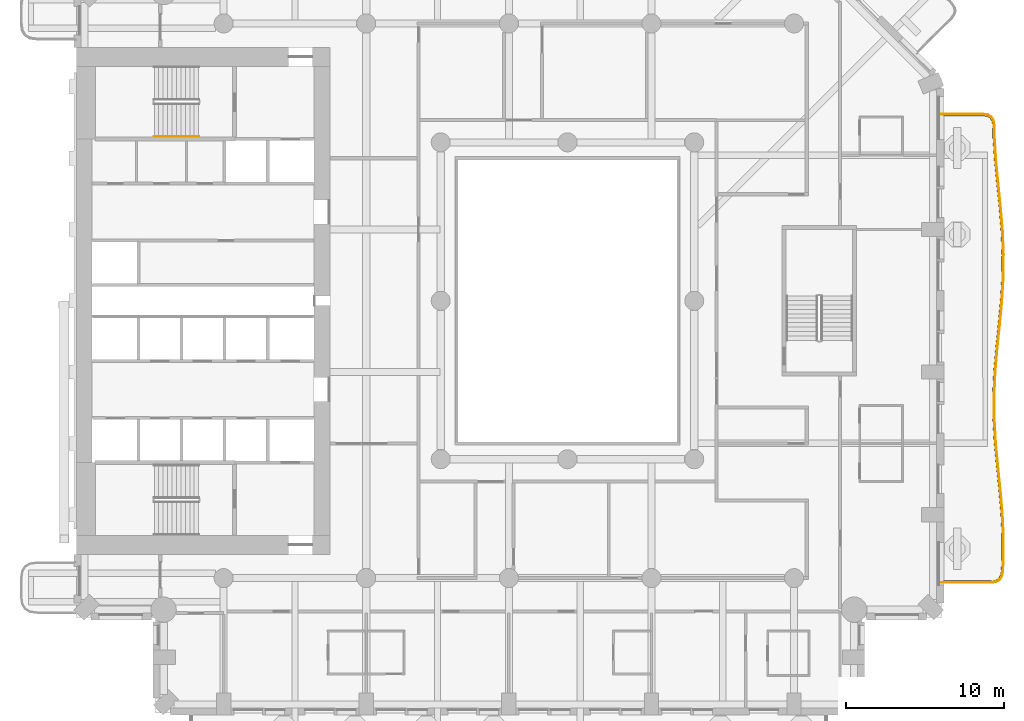
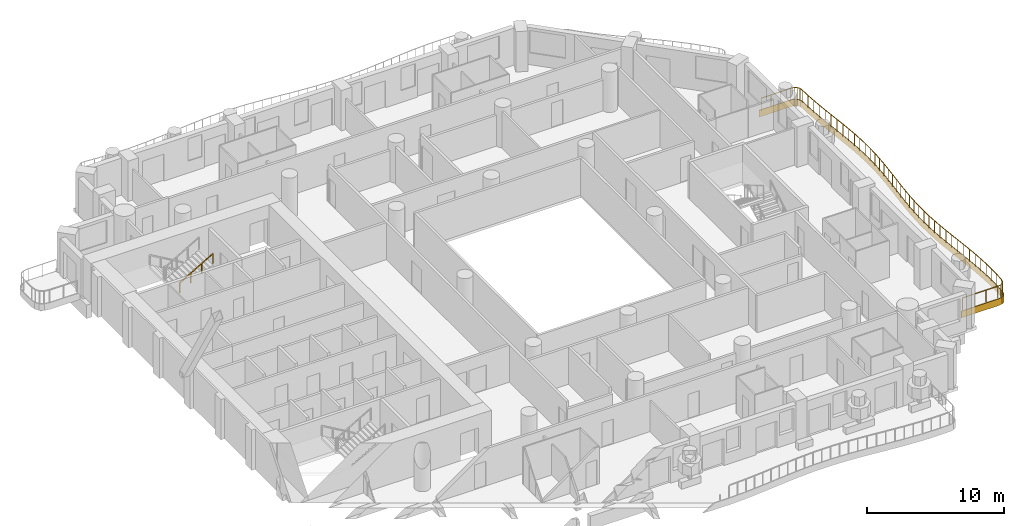
# One storey, part 16 of 20: 2 railings, 1 covering.
"""IFC4 building model written with IfcOpenShell, lengths in metres."""

import ifcopenshell
import ifcopenshell.guid

model = None  # the IFC model being written
_history = None  # IfcOwnerHistory: only IFC2X3 demands one
_inside = {}  # id of a spatial element -> (the spatial element, [elements in it])
_under = {}  # id of a project, library or spatial element -> (it, [spatial elements below it])
_declared = {}  # id of a project -> (the project, [libraries it declares])
_typed = {}  # id of a type object -> (the type object, [elements of that type])
_made_of = {}  # id of a material, layer set ... -> (it, [elements and type objects made of it])


def new_model(schema):
    """Start an empty IFC model of exactly this schema.

    Asked for "IFC4X3", IfcOpenShell would pick the latest addendum, in which some entities
    have other attributes; the version numbers below select the first issue.
    IFC2X3 requires an IfcOwnerHistory on every rooted entity: one is made here for all.
    """
    global model, _history
    if schema == "IFC4X3":
        model = ifcopenshell.file(schema_version=(4, 3, 0, 0))
    else:
        model = ifcopenshell.file(schema=schema)
    _inside.clear()
    _under.clear()
    _declared.clear()
    _typed.clear()
    _made_of.clear()
    _history = None
    if model.schema == "IFC2X3":
        org = make("IfcOrganization", Name="unknown")
        user = make(
            "IfcPersonAndOrganization",
            ThePerson=make("IfcPerson", FamilyName="unknown"),
            TheOrganization=org,
        )
        app = make(
            "IfcApplication",
            ApplicationDeveloper=org,
            Version="unknown",
            ApplicationFullName="unknown",
            ApplicationIdentifier="unknown",
        )
        _history = make(
            "IfcOwnerHistory",
            OwningUser=user,
            OwningApplication=app,
            ChangeAction="ADDED",
            CreationDate=0,
        )
    return model


def make(cls, **values):
    """One entity of the class cls with the attributes given. An attribute that is None is left unset."""
    return model.create_entity(
        cls, **{name: value for name, value in values.items() if value is not None}
    )


def rooted(cls, **values):
    """An entity with a GlobalId (a new one), such as an element, a storey or a relation."""
    return make(cls, GlobalId=ifcopenshell.guid.new(), OwnerHistory=_history, **values)


def si_unit(unit_type, name, prefix=None):
    """IfcSIUnit, for example si_unit("LENGTHUNIT", "METRE", prefix="MILLI")."""
    return make("IfcSIUnit", UnitType=unit_type, Prefix=prefix, Name=name)


def assignment(units):
    """IfcUnitAssignment: the units of a project."""
    return None if units is None else make("IfcUnitAssignment", Units=units)


def point(xyz):
    """IfcCartesianPoint."""
    return None if xyz is None else make("IfcCartesianPoint", Coordinates=xyz)


def direction(xyz):
    """IfcDirection."""
    return None if xyz is None else make("IfcDirection", DirectionRatios=xyz)


def frame(location, z_axis=None, x_axis=None):
    """IfcAxis2Placement3D, a coordinate frame: its origin and axes. An axis left out is left unset."""
    return make(
        "IfcAxis2Placement3D",
        Location=point(location),
        Axis=direction(z_axis),
        RefDirection=direction(x_axis),
    )


def frame_2d(location, x_axis=None):
    """IfcAxis2Placement2D, a coordinate frame in the plane: its origin and x axis."""
    return make(
        "IfcAxis2Placement2D", Location=point(location), RefDirection=direction(x_axis)
    )


def origin():
    """The frame at (0, 0, 0) with its axes left unset."""
    return frame((0.0, 0.0, 0.0))


def origin_2d():
    """The frame at (0, 0) in the plane with its x axis left unset."""
    return frame_2d((0.0, 0.0))


def place(relative_to, where):
    """IfcLocalPlacement: puts the frame where relative to a parent placement (None: the world)."""
    return make(
        "IfcLocalPlacement", PlacementRelTo=relative_to, RelativePlacement=where
    )


def context(
    kind, dimensions, precision=None, world=None, true_north=None, identifier=None
):
    """IfcGeometricRepresentationContext, for example the 3D "Model" context."""
    return make(
        "IfcGeometricRepresentationContext",
        ContextIdentifier=identifier,
        ContextType=kind,
        CoordinateSpaceDimension=dimensions,
        Precision=precision,
        WorldCoordinateSystem=world,
        TrueNorth=true_north,
    )


def subcontext(parent, identifier, kind, view, scale=None):
    """IfcGeometricRepresentationSubContext, for example "Body" below "Model"."""
    return make(
        "IfcGeometricRepresentationSubContext",
        ContextIdentifier=identifier,
        ContextType=kind,
        ParentContext=parent,
        TargetScale=scale,
        TargetView=view,
    )


def project(units=None, contexts=None):
    """IfcProject with its units and contexts."""
    return rooted(
        "IfcProject",
        Name="project",
        RepresentationContexts=contexts,
        UnitsInContext=assignment(units),
    )


def spatial(cls, under=None, at=None, **own):
    """A site, building, storey or space (cls), placed at a placement, below another one or the project."""
    s = rooted(cls, ObjectPlacement=at, **own)
    if under is not None:
        _under.setdefault(under.id(), (under, []))[1].append(s)
    return s


def polyline(points):
    """IfcPolyline through the points."""
    return make("IfcPolyline", Points=[point(p) for p in points])


def profile(cls, at=None, kind="AREA", **sizes):
    """A parametric profile (cls). Its sizes go by their IFC names, for example OverallWidth=200.0."""
    return make(cls, ProfileType=kind, Position=at, **sizes)


def rectangle(**sizes):
    """IfcRectangleProfileDef."""
    return profile("IfcRectangleProfileDef", **sizes)


def outline(outer, holes=None, kind="AREA"):
    """IfcArbitraryClosedProfileDef: a profile drawn as a closed curve; with holes, ...WithVoids."""
    if holes is None:
        return make("IfcArbitraryClosedProfileDef", ProfileType=kind, OuterCurve=outer)
    return make(
        "IfcArbitraryProfileDefWithVoids",
        ProfileType=kind,
        OuterCurve=outer,
        InnerCurves=holes,
    )


def extrude(swept, where, along, depth):
    """IfcExtrudedAreaSolid: the profile swept, set in the frame where, extruded along a direction by depth."""
    return make(
        "IfcExtrudedAreaSolid",
        SweptArea=swept,
        Position=where,
        ExtrudedDirection=direction(along),
        Depth=depth,
    )


def shape(context_of_items, identifier, shape_type, items):
    """IfcShapeRepresentation: the items that make up one representation, for example the "Body"."""
    return make(
        "IfcShapeRepresentation",
        ContextOfItems=context_of_items,
        RepresentationIdentifier=identifier,
        RepresentationType=shape_type,
        Items=items,
    )


def material(Name=None, Category=None):
    """IfcMaterial."""
    return make("IfcMaterial", Name=Name, Category=Category)


def layer(
    of_material, thickness, ventilated=None, Name=None, Category=None, Priority=None
):
    """IfcMaterialLayer: one layer of a wall or slab, of a material (None: an air gap)."""
    return make(
        "IfcMaterialLayer",
        Material=of_material,
        LayerThickness=thickness,
        IsVentilated=ventilated,
        Name=Name,
        Category=Category,
        Priority=Priority,
    )


def layer_set(layers, Name=None):
    """IfcMaterialLayerSet."""
    return make("IfcMaterialLayerSet", MaterialLayers=layers, LayerSetName=Name)


def made_of(thing, what):
    """Note that an element or type object is made of a material, layer set ...; save() writes the relation."""
    if what is not None:
        _made_of.setdefault(what.id(), (what, []))[1].append(thing)
    return thing


def type_object(cls, material=None, **own):
    """A type object (cls), such as IfcWallType, which elements share."""
    return made_of(rooted(cls, **own), material)


def element(
    cls,
    number,
    at=None,
    inside=None,
    cuts=None,
    type_object=None,
    material=None,
    context=None,
    identifier="Body",
    shape_type=None,
    held_by="IfcProductDefinitionShape",
    body=None,
    shapes=None,
    **own,
):
    """One element of the class cls, such as IfcWall. Its Tag is "e" and its number.

    at: its placement. inside: the storey or other place that contains it. cuts: it is an
    opening in that element (IfcRelVoidsElement). A single representation is given by context,
    identifier, shape_type and body (its items); several are given by shapes. held_by: the class
    of the entity that holds the representations. save() writes the other relations.
    """
    e = rooted(cls, Tag="e%d" % number, ObjectPlacement=at, **own)
    if body is not None:
        shapes = [shape(context, identifier, shape_type, body)]
    if shapes is not None:
        e.Representation = make(held_by, Representations=shapes)
    if inside is not None:
        _inside.setdefault(inside.id(), (inside, []))[1].append(e)
    if cuts is not None:
        rooted(
            "IfcRelVoidsElement", RelatingBuildingElement=cuts, RelatedOpeningElement=e
        )
    if type_object is not None:
        _typed.setdefault(type_object.id(), (type_object, []))[1].append(e)
    return made_of(e, material)


def aggregate(whole, parts):
    """IfcRelAggregates: a whole, such as a stair, and the parts it consists of."""
    return rooted("IfcRelAggregates", RelatingObject=whole, RelatedObjects=parts)


def save(model, path):
    """Write the relations noted so far, then the file.

    IfcRelAggregates (storeys below a building ...), IfcRelContainedInSpatialStructure (elements
    in a storey), IfcRelDefinesByType, IfcRelAssociatesMaterial and IfcRelDeclares: one each for
    every whole, place, type object, material and project.
    """
    for whole, parts in _under.values():
        aggregate(whole, parts)
    for where, things in _inside.values():
        rooted(
            "IfcRelContainedInSpatialStructure",
            RelatedElements=things,
            RelatingStructure=where,
        )
    for kind, things in _typed.values():
        rooted("IfcRelDefinesByType", RelatedObjects=things, RelatingType=kind)
    for what, things in _made_of.values():
        rooted("IfcRelAssociatesMaterial", RelatedObjects=things, RelatingMaterial=what)
    for by, libraries in _declared.values():
        rooted("IfcRelDeclares", RelatingContext=by, RelatedDefinitions=libraries)
    model.write(path)


model = new_model("IFC4")

# Units and contexts
model_context = context("Model", 3, precision=1e-05, world=origin(), true_north=direction((0.0, 1.0)))
body_context = subcontext(model_context, "Body", "Model", "MODEL_VIEW")
ifc_project = project(units=[si_unit("LENGTHUNIT", "METRE"), si_unit("AREAUNIT", "SQUARE_METRE"), si_unit("VOLUMEUNIT", "CUBIC_METRE"), si_unit("PLANEANGLEUNIT", "RADIAN"), si_unit("MASSUNIT", "GRAM", prefix="KILO")], contexts=[model_context])

# Site, building, storey
site_placement = place(None, origin())
site = spatial("IfcSite", under=ifc_project, at=site_placement, CompositionType="ELEMENT")
building_placement = place(site_placement, origin())
building = spatial("IfcBuilding", under=site, at=building_placement, Name="Cypress Arch Tower", CompositionType="ELEMENT")
storey_placement = place(building_placement, frame((0.0, 0.0, 73.5)))
storey = spatial("IfcBuildingStorey", under=building, at=storey_placement, Name="L12", CompositionType="ELEMENT", Elevation=73.5)

# Covering
ifc_material_1 = material(Name="White powder-coated aluminium fascia", Category="aluminium")
ifc_layer = layer(ifc_material_1, 0.050048828125)
ifc_layer_set = layer_set([ifc_layer], Name="Balcony fascia BF50")
covering_type = type_object("IfcCoveringType", Name="Balcony fascia BF50", PredefinedType="CLADDING", material=ifc_layer_set)
covering_placement = place(storey_placement, frame((0.0, 0.0, -0.60009765625)))
element("IfcCovering", 1, at=covering_placement, inside=storey, type_object=covering_type, Name="Balcony fascia L12-A06", PredefinedType="CLADDING", context=body_context, shape_type="SweptSolid", body=[
    extrude(outline(polyline([(27.24072265625, 11.800048828125), (27.54541015625, 11.756591796875), (27.774169921875, 11.620849609375), (27.9140625, 11.39453125), (27.962646484375, 11.090576171875), (27.97705078125, 10.277099609375), (28.073486328125, 8.803955078125), (28.2158203125, 7.329833984375), (28.366943359375, 5.8544921875), (28.488037109375, 4.3779296875), (28.547119140625, 2.900634765625), (28.529052734375, 1.423095703125), (28.438720703125, -0.053955078125), (28.29931640625, -1.530029296875), (28.147216796875, -3.004638671875), (28.021728515625, -4.478271484375), (27.95556640625, -5.950927734375), (27.965576171875, -7.42333984375), (28.049072265625, -8.896240234375), (28.184814453125, -10.3701171875), (28.33740234375, -11.84521484375), (28.467529296875, -13.321533203125), (28.541015625, -14.798828125), (28.5390625, -16.2763671875), (28.49658203125, -17.09228515625), (28.437255859375, -17.395751953125), (28.2900390625, -17.621337890625), (28.05712890625, -17.756591796875), (27.7509765625, -17.800048828125), (24.60107421875, -17.800048828125), (24.60107421875, -17.75), (27.74755859375, -17.75), (28.04052734375, -17.70849609375), (28.254638671875, -17.583984375), (28.39013671875, -17.376708984375), (28.44677734375, -17.086181640625), (28.489013671875, -16.27490234375), (28.4912109375, -14.800048828125), (28.417724609375, -13.324951171875), (28.28759765625, -11.85009765625), (28.135009765625, -10.375), (27.999267578125, -8.89990234375), (27.91552734375, -7.425048828125), (27.905517578125, -5.949951171875), (27.971923828125, -4.47509765625), (28.097412109375, -3.0), (28.24951171875, -1.52490234375), (28.388916015625, -0.050048828125), (28.47900390625, 1.425048828125), (28.4970703125, 2.89990234375), (28.43798828125, 4.375), (28.317138671875, 5.85009765625), (28.166015625, 7.324951171875), (28.023681640625, 8.800048828125), (27.927001953125, 10.27490234375), (27.912841796875, 11.086181640625), (27.8662109375, 11.376708984375), (27.738037109375, 11.583984375), (27.528564453125, 11.70849609375), (27.2373046875, 11.75), (24.60107421875, 11.75), (24.60107421875, 11.800048828125), (27.24072265625, 11.800048828125)])), origin(), (0.0, 0.0, 1.0), 0.60009765625),
])

# Railings
ifc_material_2 = material(Name="Powder-coated steel posts and rods, 100 mm clear between rods", Category="steel")
railing_type_1 = type_object("IfcRailingType", Name="Balcony guard GR1100", PredefinedType="GUARDRAIL", material=ifc_material_2)
railing_1_placement = place(storey_placement, frame((24.75, 11.699951171875, 0.0)))
element("IfcRailing", 2, at=railing_1_placement, inside=storey, type_object=railing_type_1, Name="Balcony guard L12-A06", PredefinedType="GUARDRAIL", context=body_context, shape_type="SweptSolid", body=[
    extrude(rectangle(XDim=0.050048828125, YDim=0.050048828125, at=origin_2d()), frame((0.0, 0.0, 1.0751953125), z_axis=(1.0, 0.0, 0.0), x_axis=(0.0, 1.0, 0.0)), (0.0, 0.0, 1.0), 2.483642578125),
    extrude(rectangle(XDim=0.050048828125, YDim=0.050048828125, at=origin_2d()), frame((2.483642578125, 0.0, 1.0751953125), z_axis=(0.9900189709, -0.140934159302, 0.0), x_axis=(0.140934159302, 0.9900189709, 0.0)), (0.0, 0.0, 1.0), 0.280517578125),
    extrude(rectangle(XDim=0.050048828125, YDim=0.050048828125, at=origin_2d()), frame((2.761474609375, -0.03955078125, 1.0751953125), z_axis=(0.859915233553, -0.510436862994, 0.0), x_axis=(0.510436862994, 0.859915233553, 0.0)), (0.0, 0.0, 1.0), 0.221435546875),
    extrude(rectangle(XDim=0.050048828125, YDim=0.050048828125, at=origin_2d()), frame((2.951904296875, -0.152587890625, 1.0751953125), z_axis=(0.525633637018, -0.85071104356, 0.0), x_axis=(0.85071104356, 0.525633637018, 0.0)), (0.0, 0.0, 1.0), 0.221435546875),
    extrude(rectangle(XDim=0.050048828125, YDim=0.050048828125, at=origin_2d()), frame((3.068359375, -0.341064453125, 1.0751953125), z_axis=(0.158329783459, -0.987386286957, 0.0), x_axis=(0.987386286957, 0.158329783459, 0.0)), (0.0, 0.0, 1.0), 0.280517578125),
    extrude(rectangle(XDim=0.050048828125, YDim=0.050048828125, at=origin_2d()), frame((3.11279296875, -0.6181640625, 1.0751953125), z_axis=(0.017504109236, -0.999846791343, 0.0), x_axis=(0.999846791343, 0.017504109236, 0.0)), (0.0, 0.0, 1.0), 0.80908203125),
    extrude(rectangle(XDim=0.050048828125, YDim=0.050048828125, at=origin_2d()), frame((3.126953125, -1.427001953125, 1.0751953125), z_axis=(0.065479011053, -0.997853946784, 0.0), x_axis=(0.997853946784, 0.065479011053, 0.0)), (0.0, 0.0, 1.0), 1.480224609375),
    extrude(rectangle(XDim=0.050048828125, YDim=0.050048828125, at=origin_2d()), frame((3.223876953125, -2.904052734375, 1.0751953125), z_axis=(0.095997921353, -0.995381534436, 0.0), x_axis=(0.995381534436, 0.095997921353, 0.0)), (0.0, 0.0, 1.0), 1.482666015625),
    extrude(rectangle(XDim=0.050048828125, YDim=0.050048828125, at=origin_2d()), frame((3.3662109375, -4.3798828125, 1.0751953125), z_axis=(0.101949461859, -0.994789579372, 0.0), x_axis=(0.994789579372, 0.101949461859, 0.0)), (0.0, 0.0, 1.0), 1.482421875),
    extrude(rectangle(XDim=0.050048828125, YDim=0.050048828125, at=origin_2d()), frame((3.517333984375, -5.8544921875, 1.0751953125), z_axis=(0.081747024034, -0.996653111198, 0.0), x_axis=(0.996653111198, 0.081747024034, 0.0)), (0.0, 0.0, 1.0), 1.478271484375),
    extrude(rectangle(XDim=0.050048828125, YDim=0.050048828125, at=origin_2d()), frame((3.63818359375, -7.327880859375, 1.0751953125), z_axis=(0.039921730305, -0.999202809969, 0.0), x_axis=(0.999202809969, 0.039921730305, 0.0)), (0.0, 0.0, 1.0), 1.473876953125),
    extrude(rectangle(XDim=0.050048828125, YDim=0.050048828125, at=origin_2d()), frame((3.697021484375, -8.800537109375, 1.0751953125), z_axis=(-0.012101235867, -0.999926777364, 0.0), x_axis=(0.999926777364, -0.012101235867, 0.0)), (0.0, 0.0, 1.0), 1.47265625),
    extrude(rectangle(XDim=0.050048828125, YDim=0.050048828125, at=origin_2d()), frame((3.67919921875, -10.273193359375, 1.0751953125), z_axis=(-0.061214340824, -0.998124643758, 0.0), x_axis=(0.998124643758, -0.061214340824, 0.0)), (0.0, 0.0, 1.0), 1.4755859375),
    extrude(rectangle(XDim=0.050048828125, YDim=0.050048828125, at=origin_2d()), frame((3.5888671875, -11.74609375, 1.0751953125), z_axis=(-0.093999696666, -0.995572225922, 0.0), x_axis=(0.995572225922, -0.093999696666, 0.0)), (0.0, 0.0, 1.0), 1.48046875),
    extrude(rectangle(XDim=0.050048828125, YDim=0.050048828125, at=origin_2d()), frame((3.44970703125, -13.219970703125, 1.0751953125), z_axis=(-0.102550949884, -0.994727753045, 0.0), x_axis=(0.994727753045, -0.102550949884, 0.0)), (0.0, 0.0, 1.0), 1.483154296875),
    extrude(rectangle(XDim=0.050048828125, YDim=0.050048828125, at=origin_2d()), frame((3.297607421875, -14.6953125, 1.0751953125), z_axis=(-0.084859001052, -0.996392969636, 0.0), x_axis=(0.996392969636, -0.084859001052, 0.0)), (0.0, 0.0, 1.0), 1.481689453125),
    extrude(rectangle(XDim=0.050048828125, YDim=0.050048828125, at=origin_2d()), frame((3.171875, -16.171630859375, 1.0751953125), z_axis=(-0.044905901861, -0.998991221172, 0.0), x_axis=(0.998991221172, -0.044905901861, 0.0)), (0.0, 0.0, 1.0), 1.478759765625),
    extrude(rectangle(XDim=0.050048828125, YDim=0.050048828125, at=origin_2d()), frame((3.10546875, -17.64892578125, 1.0751953125), z_axis=(0.006774464503, -0.999977053052, 0.0), x_axis=(0.999977053052, 0.006774464503, 0.0)), (0.0, 0.0, 1.0), 1.4775390625),
    extrude(rectangle(XDim=0.050048828125, YDim=0.050048828125, at=origin_2d()), frame((3.115478515625, -19.12646484375, 1.0751953125), z_axis=(0.056758461588, -0.998387939149, 0.0), x_axis=(0.998387939149, 0.056758461588, 0.0)), (0.0, 0.0, 1.0), 1.479736328125),
    extrude(rectangle(XDim=0.050048828125, YDim=0.050048828125, at=origin_2d()), frame((3.199462890625, -20.603759765625, 1.0751953125), z_axis=(0.091575219648, -0.995798161851, 0.0), x_axis=(0.995798161851, 0.091575219648, 0.0)), (0.0, 0.0, 1.0), 1.482421875),
    extrude(rectangle(XDim=0.050048828125, YDim=0.050048828125, at=origin_2d()), frame((3.335205078125, -22.079833984375, 1.0751953125), z_axis=(0.103073295143, -0.994673763517, 0.0), x_axis=(0.994673763517, 0.103073295143, 0.0)), (0.0, 0.0, 1.0), 1.482666015625),
    extrude(rectangle(XDim=0.050048828125, YDim=0.050048828125, at=origin_2d()), frame((3.488037109375, -23.5546875, 1.0751953125), z_axis=(0.087633717414, -0.996152765178, 0.0), x_axis=(0.996152765178, 0.087633717414, 0.0)), (0.0, 0.0, 1.0), 1.479248046875),
    extrude(rectangle(XDim=0.050048828125, YDim=0.050048828125, at=origin_2d()), frame((3.61767578125, -25.0283203125, 1.0751953125), z_axis=(0.049830278089, -0.998757700038, 0.0), x_axis=(0.998757700038, 0.049830278089, 0.0)), (0.0, 0.0, 1.0), 1.474853515625),
    extrude(rectangle(XDim=0.050048828125, YDim=0.050048828125, at=origin_2d()), frame((3.691162109375, -26.501220703125, 1.0751953125), z_axis=(-0.001326478687, -0.999999120227, 0.0), x_axis=(0.999999120227, -0.001326478687, 0.0)), (0.0, 0.0, 1.0), 1.472412109375),
    extrude(rectangle(XDim=0.050048828125, YDim=0.050048828125, at=origin_2d()), frame((3.689208984375, -27.9736328125, 1.0751953125), z_axis=(-0.052304932095, -0.998631160178, 0.0), x_axis=(0.998631160178, -0.052304932095, 0.0)), (0.0, 0.0, 1.0), 0.8076171875),
    extrude(rectangle(XDim=0.050048828125, YDim=0.050048828125, at=origin_2d()), frame((3.64697265625, -28.780029296875, 1.0751953125), z_axis=(-0.191794535453, -0.981435100335, 0.0), x_axis=(0.981435100335, -0.191794535453, 0.0)), (0.0, 0.0, 1.0), 0.282470703125),
    extrude(rectangle(XDim=0.050048828125, YDim=0.050048828125, at=origin_2d()), frame((3.5927734375, -29.057373046875, 1.0751953125), z_axis=(-0.546201923792, -0.837653543206, 0.0), x_axis=(0.837653543206, -0.546201923792, 0.0)), (0.0, 0.0, 1.0), 0.22607421875),
    extrude(rectangle(XDim=0.050048828125, YDim=0.050048828125, at=origin_2d()), frame((3.46923828125, -29.246826171875, 1.0751953125), z_axis=(-0.864834315404, -0.502057374111, 0.0), x_axis=(0.502057374111, -0.864834315404, 0.0)), (0.0, 0.0, 1.0), 0.22607421875),
    extrude(rectangle(XDim=0.050048828125, YDim=0.050048828125, at=origin_2d()), frame((3.273681640625, -29.3603515625, 1.0751953125), z_axis=(-0.990155791954, -0.139969666925, 0.0), x_axis=(0.139969666925, -0.990155791954, 0.0)), (0.0, 0.0, 1.0), 0.282470703125),
    extrude(rectangle(XDim=0.050048828125, YDim=0.050048828125, at=origin_2d()), frame((2.993896484375, -29.39990234375, 1.0751953125), z_axis=(-1.0, 0.0, 0.0), x_axis=(0.0, -1.0, 0.0)), (0.0, 0.0, 1.0), 2.993896484375),
    extrude(rectangle(XDim=0.0400390625, YDim=0.0400390625, at=origin_2d()), origin(), (0.0, 0.0, 1.0), 1.050048828125),
    extrude(rectangle(XDim=0.0400390625, YDim=0.0400390625, at=origin_2d()), frame((0.827880859375, 0.0, 0.0)), (0.0, 0.0, 1.0), 1.050048828125),
    extrude(rectangle(XDim=0.0400390625, YDim=0.0400390625, at=origin_2d()), frame((1.65576171875, 0.0, 0.0)), (0.0, 0.0, 1.0), 1.050048828125),
    extrude(rectangle(XDim=0.0400390625, YDim=0.0400390625, at=origin_2d()), frame((2.483642578125, 0.0, 0.0)), (0.0, 0.0, 1.0), 1.050048828125),
    extrude(rectangle(XDim=0.0400390625, YDim=0.0400390625, at=origin_2d()), frame((2.761474609375, -0.03955078125, 0.0)), (0.0, 0.0, 1.0), 1.050048828125),
    extrude(rectangle(XDim=0.0400390625, YDim=0.0400390625, at=origin_2d()), frame((2.951904296875, -0.152587890625, 0.0)), (0.0, 0.0, 1.0), 1.050048828125),
    extrude(rectangle(XDim=0.0400390625, YDim=0.0400390625, at=origin_2d()), frame((3.068359375, -0.341064453125, 0.0)), (0.0, 0.0, 1.0), 1.050048828125),
    extrude(rectangle(XDim=0.0400390625, YDim=0.0400390625, at=origin_2d()), frame((3.11279296875, -0.6181640625, 0.0)), (0.0, 0.0, 1.0), 1.050048828125),
    extrude(rectangle(XDim=0.0400390625, YDim=0.0400390625, at=origin_2d()), frame((3.126953125, -1.427001953125, 0.0)), (0.0, 0.0, 1.0), 1.050048828125),
    extrude(rectangle(XDim=0.0400390625, YDim=0.0400390625, at=origin_2d()), frame((3.17529296875, -2.16552734375, 0.0)), (0.0, 0.0, 1.0), 1.050048828125),
    extrude(rectangle(XDim=0.0400390625, YDim=0.0400390625, at=origin_2d()), frame((3.223876953125, -2.904052734375, 0.0)), (0.0, 0.0, 1.0), 1.050048828125),
    extrude(rectangle(XDim=0.0400390625, YDim=0.0400390625, at=origin_2d()), frame((3.294921875, -3.64208984375, 0.0)), (0.0, 0.0, 1.0), 1.050048828125),
    extrude(rectangle(XDim=0.0400390625, YDim=0.0400390625, at=origin_2d()), frame((3.3662109375, -4.3798828125, 0.0)), (0.0, 0.0, 1.0), 1.050048828125),
    extrude(rectangle(XDim=0.0400390625, YDim=0.0400390625, at=origin_2d()), frame((3.44189453125, -5.1171875, 0.0)), (0.0, 0.0, 1.0), 1.050048828125),
    extrude(rectangle(XDim=0.0400390625, YDim=0.0400390625, at=origin_2d()), frame((3.517333984375, -5.8544921875, 0.0)), (0.0, 0.0, 1.0), 1.050048828125),
    extrude(rectangle(XDim=0.0400390625, YDim=0.0400390625, at=origin_2d()), frame((3.57763671875, -6.59130859375, 0.0)), (0.0, 0.0, 1.0), 1.050048828125),
    extrude(rectangle(XDim=0.0400390625, YDim=0.0400390625, at=origin_2d()), frame((3.63818359375, -7.327880859375, 0.0)), (0.0, 0.0, 1.0), 1.050048828125),
    extrude(rectangle(XDim=0.0400390625, YDim=0.0400390625, at=origin_2d()), frame((3.66748046875, -8.064208984375, 0.0)), (0.0, 0.0, 1.0), 1.050048828125),
    extrude(rectangle(XDim=0.0400390625, YDim=0.0400390625, at=origin_2d()), frame((3.697021484375, -8.800537109375, 0.0)), (0.0, 0.0, 1.0), 1.050048828125),
    extrude(rectangle(XDim=0.0400390625, YDim=0.0400390625, at=origin_2d()), frame((3.68798828125, -9.536865234375, 0.0)), (0.0, 0.0, 1.0), 1.050048828125),
    extrude(rectangle(XDim=0.0400390625, YDim=0.0400390625, at=origin_2d()), frame((3.67919921875, -10.273193359375, 0.0)), (0.0, 0.0, 1.0), 1.050048828125),
    extrude(rectangle(XDim=0.0400390625, YDim=0.0400390625, at=origin_2d()), frame((3.634033203125, -11.009765625, 0.0)), (0.0, 0.0, 1.0), 1.050048828125),
    extrude(rectangle(XDim=0.0400390625, YDim=0.0400390625, at=origin_2d()), frame((3.5888671875, -11.74609375, 0.0)), (0.0, 0.0, 1.0), 1.050048828125),
    extrude(rectangle(XDim=0.0400390625, YDim=0.0400390625, at=origin_2d()), frame((3.519287109375, -12.48291015625, 0.0)), (0.0, 0.0, 1.0), 1.050048828125),
    extrude(rectangle(XDim=0.0400390625, YDim=0.0400390625, at=origin_2d()), frame((3.44970703125, -13.219970703125, 0.0)), (0.0, 0.0, 1.0), 1.050048828125),
    extrude(rectangle(XDim=0.0400390625, YDim=0.0400390625, at=origin_2d()), frame((3.37353515625, -13.95751953125, 0.0)), (0.0, 0.0, 1.0), 1.050048828125),
    extrude(rectangle(XDim=0.0400390625, YDim=0.0400390625, at=origin_2d()), frame((3.297607421875, -14.6953125, 0.0)), (0.0, 0.0, 1.0), 1.050048828125),
    extrude(rectangle(XDim=0.0400390625, YDim=0.0400390625, at=origin_2d()), frame((3.23486328125, -15.43359375, 0.0)), (0.0, 0.0, 1.0), 1.050048828125),
    extrude(rectangle(XDim=0.0400390625, YDim=0.0400390625, at=origin_2d()), frame((3.171875, -16.171630859375, 0.0)), (0.0, 0.0, 1.0), 1.050048828125),
    extrude(rectangle(XDim=0.0400390625, YDim=0.0400390625, at=origin_2d()), frame((3.138671875, -16.91015625, 0.0)), (0.0, 0.0, 1.0), 1.050048828125),
    extrude(rectangle(XDim=0.0400390625, YDim=0.0400390625, at=origin_2d()), frame((3.10546875, -17.64892578125, 0.0)), (0.0, 0.0, 1.0), 1.050048828125),
    extrude(rectangle(XDim=0.0400390625, YDim=0.0400390625, at=origin_2d()), frame((3.1103515625, -18.3876953125, 0.0)), (0.0, 0.0, 1.0), 1.050048828125),
    extrude(rectangle(XDim=0.0400390625, YDim=0.0400390625, at=origin_2d()), frame((3.115478515625, -19.12646484375, 0.0)), (0.0, 0.0, 1.0), 1.050048828125),
    extrude(rectangle(XDim=0.0400390625, YDim=0.0400390625, at=origin_2d()), frame((3.157470703125, -19.865234375, 0.0)), (0.0, 0.0, 1.0), 1.050048828125),
    extrude(rectangle(XDim=0.0400390625, YDim=0.0400390625, at=origin_2d()), frame((3.199462890625, -20.603759765625, 0.0)), (0.0, 0.0, 1.0), 1.050048828125),
    extrude(rectangle(XDim=0.0400390625, YDim=0.0400390625, at=origin_2d()), frame((3.267333984375, -21.341796875, 0.0)), (0.0, 0.0, 1.0), 1.050048828125),
    extrude(rectangle(XDim=0.0400390625, YDim=0.0400390625, at=origin_2d()), frame((3.335205078125, -22.079833984375, 0.0)), (0.0, 0.0, 1.0), 1.050048828125),
    extrude(rectangle(XDim=0.0400390625, YDim=0.0400390625, at=origin_2d()), frame((3.41162109375, -22.8173828125, 0.0)), (0.0, 0.0, 1.0), 1.050048828125),
    extrude(rectangle(XDim=0.0400390625, YDim=0.0400390625, at=origin_2d()), frame((3.488037109375, -23.5546875, 0.0)), (0.0, 0.0, 1.0), 1.050048828125),
    extrude(rectangle(XDim=0.0400390625, YDim=0.0400390625, at=origin_2d()), frame((3.552734375, -24.29150390625, 0.0)), (0.0, 0.0, 1.0), 1.050048828125),
    extrude(rectangle(XDim=0.0400390625, YDim=0.0400390625, at=origin_2d()), frame((3.61767578125, -25.0283203125, 0.0)), (0.0, 0.0, 1.0), 1.050048828125),
    extrude(rectangle(XDim=0.0400390625, YDim=0.0400390625, at=origin_2d()), frame((3.654296875, -25.7646484375, 0.0)), (0.0, 0.0, 1.0), 1.050048828125),
    extrude(rectangle(XDim=0.0400390625, YDim=0.0400390625, at=origin_2d()), frame((3.691162109375, -26.501220703125, 0.0)), (0.0, 0.0, 1.0), 1.050048828125),
    extrude(rectangle(XDim=0.0400390625, YDim=0.0400390625, at=origin_2d()), frame((3.690185546875, -27.2373046875, 0.0)), (0.0, 0.0, 1.0), 1.050048828125),
    extrude(rectangle(XDim=0.0400390625, YDim=0.0400390625, at=origin_2d()), frame((3.689208984375, -27.9736328125, 0.0)), (0.0, 0.0, 1.0), 1.050048828125),
    extrude(rectangle(XDim=0.0400390625, YDim=0.0400390625, at=origin_2d()), frame((3.64697265625, -28.780029296875, 0.0)), (0.0, 0.0, 1.0), 1.050048828125),
    extrude(rectangle(XDim=0.0400390625, YDim=0.0400390625, at=origin_2d()), frame((3.5927734375, -29.057373046875, 0.0)), (0.0, 0.0, 1.0), 1.050048828125),
    extrude(rectangle(XDim=0.0400390625, YDim=0.0400390625, at=origin_2d()), frame((3.46923828125, -29.246826171875, 0.0)), (0.0, 0.0, 1.0), 1.050048828125),
    extrude(rectangle(XDim=0.0400390625, YDim=0.0400390625, at=origin_2d()), frame((3.273681640625, -29.3603515625, 0.0)), (0.0, 0.0, 1.0), 1.050048828125),
    extrude(rectangle(XDim=0.0400390625, YDim=0.0400390625, at=origin_2d()), frame((2.993896484375, -29.39990234375, 0.0)), (0.0, 0.0, 1.0), 1.050048828125),
    extrude(rectangle(XDim=0.0400390625, YDim=0.0400390625, at=origin_2d()), frame((1.995849609375, -29.39990234375, 0.0)), (0.0, 0.0, 1.0), 1.050048828125),
    extrude(rectangle(XDim=0.0400390625, YDim=0.0400390625, at=origin_2d()), frame((0.998046875, -29.39990234375, 0.0)), (0.0, 0.0, 1.0), 1.050048828125),
    extrude(rectangle(XDim=0.0400390625, YDim=0.0400390625, at=origin_2d()), frame((0.0, -29.39990234375, 0.0)), (0.0, 0.0, 1.0), 1.050048828125),
])
ifc_material_3 = material(Name="Black powder-coated steel square bar 48 mm", Category="steel")
railing_type_2 = type_object("IfcRailingType", Name="Stair handrail HR1", PredefinedType="HANDRAIL", material=ifc_material_3)
railing_2_placement = place(storey_placement, frame((-25.074951171875, 10.375, 1.963623046875)))
element("IfcRailing", 3, at=railing_2_placement, inside=storey, type_object=railing_type_2, Name="L12 B stair handrail 2", PredefinedType="HANDRAIL", context=body_context, shape_type="SweptSolid", body=[
    extrude(rectangle(XDim=0.048095703125, YDim=0.048095703125, at=origin_2d()), frame((0.0, 0.0, 0.8759765625), z_axis=(0.863360870873, 0.0, 0.504586966384), x_axis=(0.0, 1.0, 0.0)), (0.0, 0.0, 1.0), 3.2431640625),
    extrude(rectangle(XDim=0.0419921875, YDim=0.0419921875, at=origin_2d()), origin(), (0.0, 0.0, 1.0), 0.851806640625),
    extrude(rectangle(XDim=0.0419921875, YDim=0.0419921875, at=origin_2d()), frame((0.933349609375, 0.0, 0.54541015625)), (0.0, 0.0, 1.0), 0.851806640625),
    extrude(rectangle(XDim=0.0419921875, YDim=0.0419921875, at=origin_2d()), frame((1.86669921875, 0.0, 1.091064453125)), (0.0, 0.0, 1.0), 0.851806640625),
    extrude(rectangle(XDim=0.0419921875, YDim=0.0419921875, at=origin_2d()), frame((2.800048828125, 0.0, 1.636474609375)), (0.0, 0.0, 1.0), 0.851806640625),
])

save(model, "model.ifc")
